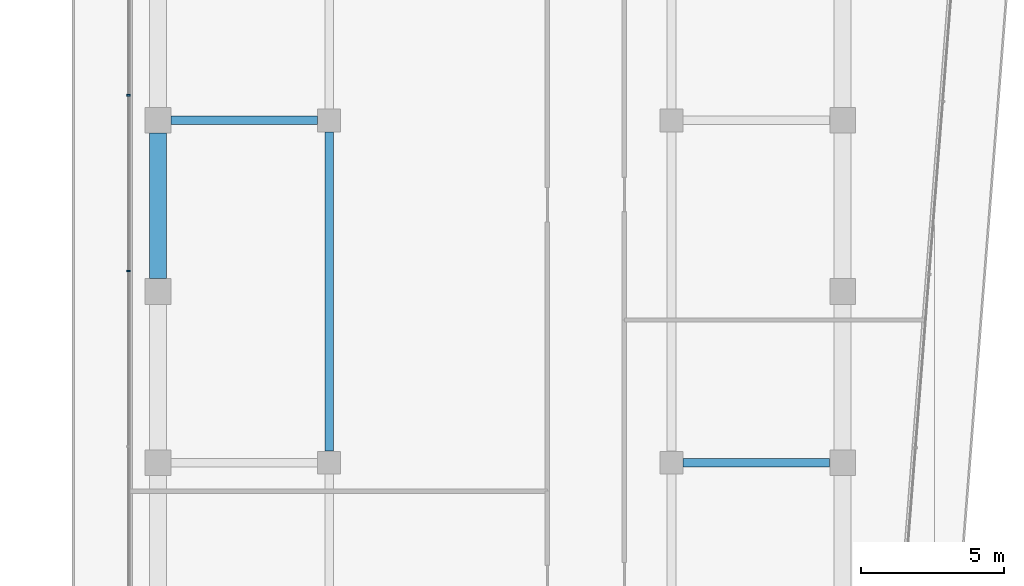
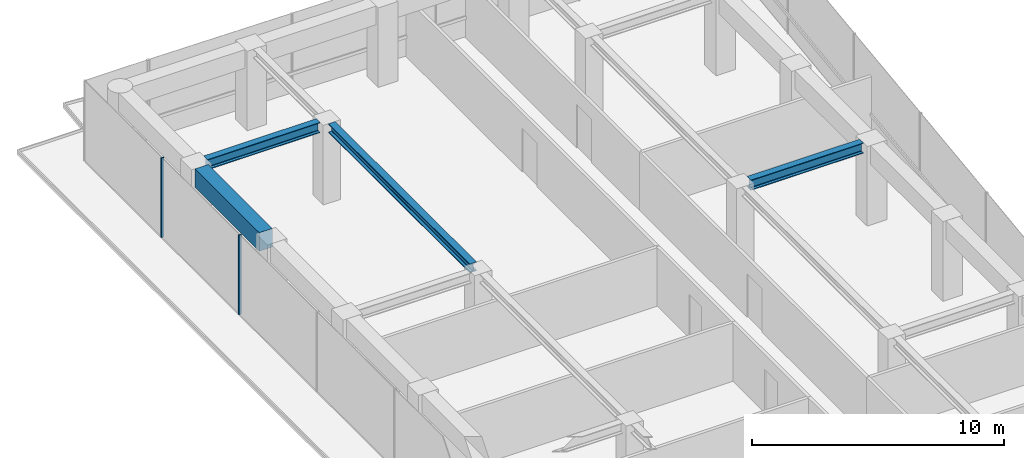
# One storey, part 14 of 24: 4 beams, 2 members, 1 element without a shape of its own.
"""IFC4 building model written with IfcOpenShell, lengths in metres."""

from ifc_helpers import new_model, si_unit, direction, frame, origin, origin_2d, place, context, subcontext, project, spatial, rectangle, i_section, extrude, material, layer, layer_set, material_profile, profile_set, type_object, element, aggregate, save


model = new_model("IFC4")

# Units and contexts
model_context = context("Model", 3, precision=1e-05, world=origin(), true_north=direction((0.0, 1.0)))
body_context = subcontext(model_context, "Body", "Model", "MODEL_VIEW")
ifc_project = project(units=[si_unit("LENGTHUNIT", "METRE"), si_unit("AREAUNIT", "SQUARE_METRE"), si_unit("VOLUMEUNIT", "CUBIC_METRE"), si_unit("PLANEANGLEUNIT", "RADIAN"), si_unit("MASSUNIT", "GRAM", prefix="KILO")], contexts=[model_context])

# Site, building, storey
site_placement = place(None, origin())
site = spatial("IfcSite", under=ifc_project, at=site_placement, CompositionType="ELEMENT")
building_placement = place(site_placement, origin())
building = spatial("IfcBuilding", under=site, at=building_placement, Name="Welwitschia Terrace Campus", CompositionType="ELEMENT")
storey_placement = place(building_placement, frame((0.0, 0.0, 129.800048828125)))
storey = spatial("IfcBuildingStorey", under=building, at=storey_placement, Name="L29", CompositionType="ELEMENT", Elevation=129.800048828125)

# Beam
ifc_material_1 = material(Name="Steel S355", Category="steel")
ifc_material_profile_1 = material_profile(ifc_material_1, i_section(OverallWidth=0.306884765625, OverallDepth=0.431884765625, WebThickness=0.02099609375, FlangeThickness=0.0400390625, FilletRadius=0.027099609375, at=origin_2d()))
ifc_profile_set_1 = profile_set([ifc_material_profile_1], Name="Steel S355")
beam_type_1 = type_object("IfcBeamType", Name="Interior girder HE 400 M", PredefinedType="BEAM", material=ifc_profile_set_1)
beam_1_placement = place(storey_placement, frame((6.0, 52.400390625, 3.634033203125), z_axis=(0.0, 1.0, 0.0), x_axis=(-1.0, 0.0, 0.0)))
element("IfcBeam", 1, at=beam_1_placement, inside=storey, type_object=beam_type_1, Name="Girder GB3", PredefinedType="BEAM", context=body_context, shape_type="SweptSolid", body=[
    extrude(i_section(OverallWidth=0.306884765625, OverallDepth=0.431884765625, WebThickness=0.02099609375, FlangeThickness=0.0400390625, FilletRadius=0.027099609375, at=origin_2d()), origin(), (0.0, 0.0, 1.0), 11.19921875),
])

# Curtain wall, members
ifc_material_2 = material(Name="Bronze anodised aluminium", Category="aluminium")
ifc_layer = layer(ifc_material_2, 0.1201171875)
ifc_layer_set = layer_set([ifc_layer], Name="Bronze anodised aluminium")
curtain_wall_type = type_object("IfcCurtainWallType", Name="Curtain wall CW2 tower 6000", PredefinedType="NOTDEFINED", material=ifc_layer_set)
curtain_wall_placement = place(storey_placement, origin())
curtain_wall = element("IfcCurtainWall", 2, at=curtain_wall_placement, inside=storey, type_object=curtain_wall_type, Name="CW L29.13.0", PredefinedType="NOTDEFINED")
ifc_material_3 = material(Name="Bronze anodised aluminium", Category="aluminium")
ifc_material_profile_2 = material_profile(ifc_material_3, rectangle(XDim=0.1201171875, YDim=0.06005859375, at=origin_2d()))
ifc_profile_set_2 = profile_set([ifc_material_profile_2], Name="Bronze anodised aluminium")
member_type = type_object("IfcMemberType", Name="Mullion 60x120", PredefinedType="MULLION", material=ifc_profile_set_2)
member_1_placement = place(storey_placement, frame((-1.030029296875, 64.876953125, 0.0), z_axis=(0.0, 0.0, 1.0), x_axis=(1.0, 0.0, 0.0)))
member_1 = element("IfcMember", 3, at=member_1_placement, type_object=member_type, Name="Mullion L29.13.0.1", PredefinedType="MULLION", context=body_context, shape_type="SweptSolid", body=[
    extrude(rectangle(XDim=0.1201171875, YDim=0.06005859375, at=origin_2d()), origin(), (0.0, 0.0, 1.0), 3.849853515625),
])
member_2_placement = place(storey_placement, frame((-1.030029296875, 58.723876953125, 0.0), z_axis=(0.0, 0.0, 1.0), x_axis=(1.0, 0.0, 0.0)))
member_2 = element("IfcMember", 4, at=member_2_placement, type_object=member_type, Name="Mullion L29.13.0.2", PredefinedType="MULLION", context=body_context, shape_type="SweptSolid", body=[
    extrude(rectangle(XDim=0.1201171875, YDim=0.06005859375, at=origin_2d()), origin(), (0.0, 0.0, 1.0), 3.849853515625),
])
aggregate(curtain_wall, [member_1, member_2])

# Beams
ifc_material_4 = material(Name="Steel S355", Category="steel")
ifc_material_profile_3 = material_profile(ifc_material_4, i_section(OverallWidth=0.300048828125, OverallDepth=0.5, WebThickness=0.014404296875, FlangeThickness=0.028076171875, FilletRadius=0.027099609375, at=origin_2d()))
ifc_profile_set_3 = profile_set([ifc_material_profile_3], Name="Steel S355")
beam_type_2 = type_object("IfcBeamType", Name="Primary beam HE 500 B", PredefinedType="BEAM", material=ifc_profile_set_3)
for number, where, z_axis, x_axis, name in (
    (5, (23.549560546875, 52.0, 3.599853515625), (-1.0, 0.0, 0.0), (0.0, -1.0, 0.0), "Primary beam PB3"),
    (6, (0.450439453125, 64.0, 3.599853515625), (1.0, 0.0, 0.0), (0.0, 1.0, 0.0), "Primary beam PB3"),
):
    element("IfcBeam", number, at=place(storey_placement, frame(where, z_axis=z_axis, x_axis=x_axis)), inside=storey, type_object=beam_type_2, Name=name, PredefinedType="BEAM", context=body_context, shape_type="SweptSolid", body=[
        extrude(i_section(OverallWidth=0.300048828125, OverallDepth=0.5, WebThickness=0.014404296875, FlangeThickness=0.028076171875, FilletRadius=0.027099609375, at=origin_2d()), origin(), (0.0, 0.0, 1.0), 5.149169921875),
    ])
ifc_material_5 = material(Name="Concrete C60/75", Category="concrete")
ifc_material_profile_4 = material_profile(ifc_material_5, rectangle(XDim=0.60009765625, YDim=0.89990234375, at=origin_2d()))
ifc_profile_set_4 = profile_set([ifc_material_profile_4], Name="Concrete C60/75")
beam_type_3 = type_object("IfcBeamType", Name="Ring spandrel 600x900", PredefinedType="SPANDREL", material=ifc_profile_set_4)
beam_2_placement = place(storey_placement, frame((0.0, 63.549560546875, 3.39990234375), z_axis=(0.0, -1.0, 0.0), x_axis=(1.0, 0.0, 0.0)))
element("IfcBeam", 7, at=beam_2_placement, inside=storey, type_object=beam_type_3, Name="Spandrel SP2", PredefinedType="SPANDREL", context=body_context, shape_type="SweptSolid", body=[
    extrude(rectangle(XDim=0.60009765625, YDim=0.89990234375, at=origin_2d()), origin(), (0.0, 0.0, 1.0), 5.09912109375),
])

save(model, "model.ifc")
